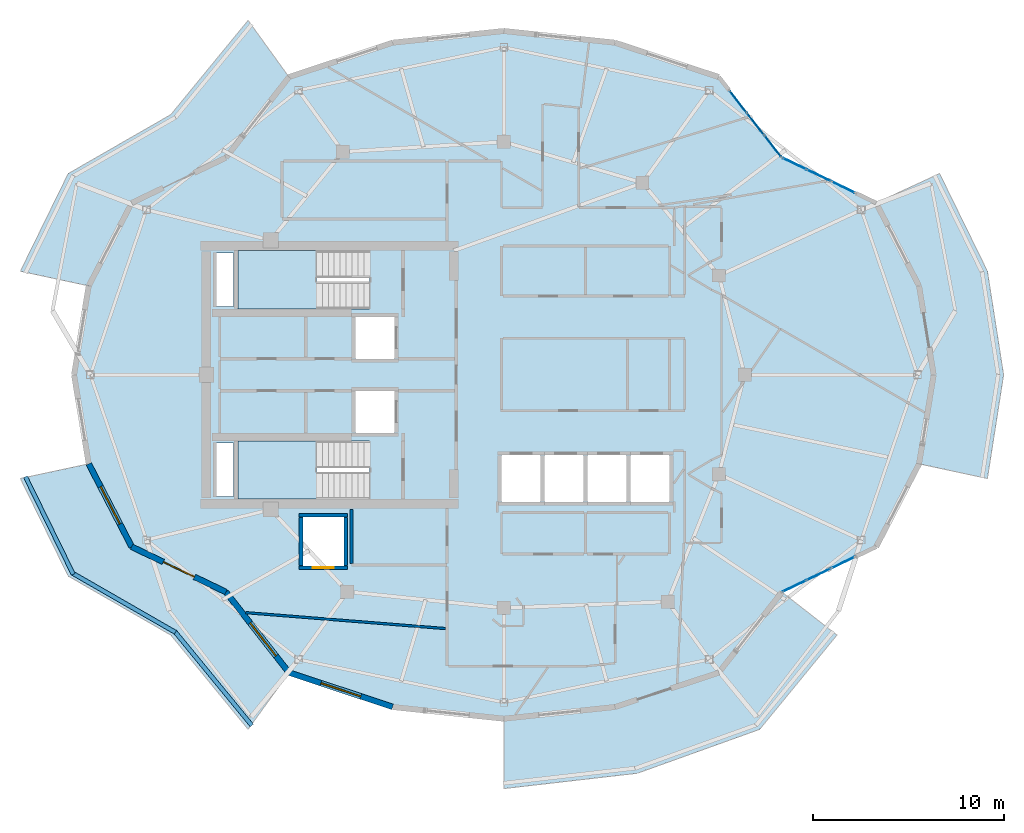
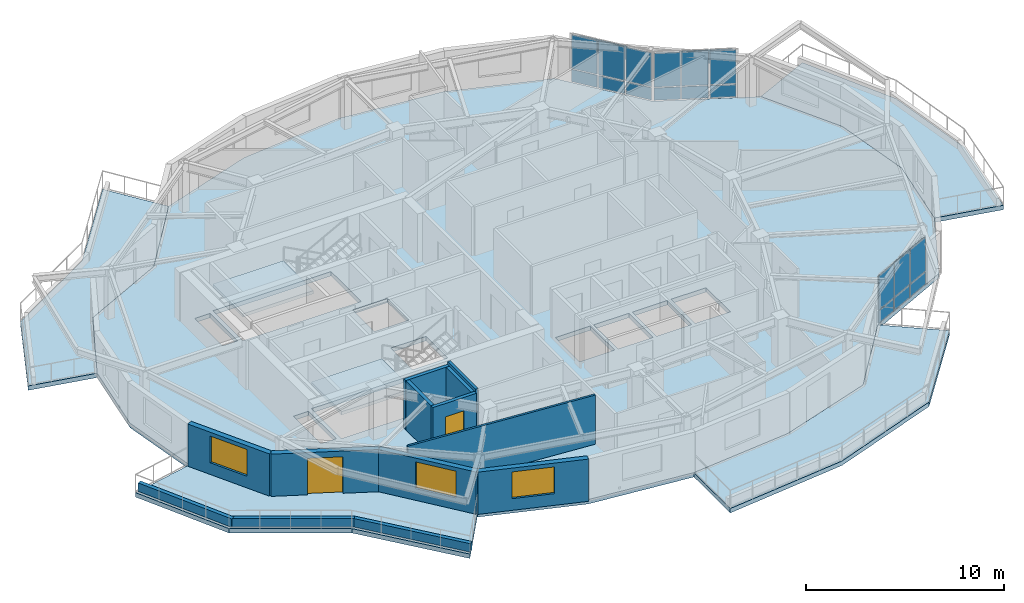
# One storey, part 6 of 14: 21 plates, 13 walls, 7 slabs, 3 windows, 2 doors, 5 openings, 5 elements without a shape of their own.
"""IFC4 building model written with IfcOpenShell, lengths in metres."""

from ifc_helpers import new_model, si_unit, direction, frame, frame_2d, origin, origin_2d, place, context, subcontext, project, spatial, polyline, rectangle, outline, extrude, material, layer, layer_set, type_object, element, fill, aggregate, save


model = new_model("IFC4")

# Units and contexts
model_context = context("Model", 3, precision=1e-05, world=origin(), true_north=direction((0.0, 1.0)))
body_context = subcontext(model_context, "Body", "Model", "MODEL_VIEW")
ifc_project = project(units=[si_unit("LENGTHUNIT", "METRE"), si_unit("AREAUNIT", "SQUARE_METRE"), si_unit("VOLUMEUNIT", "CUBIC_METRE"), si_unit("PLANEANGLEUNIT", "RADIAN"), si_unit("MASSUNIT", "GRAM", prefix="KILO")], contexts=[model_context])

# Site, building, storey
site_placement = place(None, origin())
site = spatial("IfcSite", under=ifc_project, at=site_placement, CompositionType="ELEMENT")
building_placement = place(site_placement, origin())
building = spatial("IfcBuilding", under=site, at=building_placement, Name="Kolvaren Gate Tower and Convention Centre", CompositionType="ELEMENT")
storey_placement = place(building_placement, frame((0.0, 0.0, 239.300048828125)))
storey = spatial("IfcBuildingStorey", under=building, at=storey_placement, Name="L64", CompositionType="ELEMENT", Elevation=239.300048828125)

# Plates
ifc_material_1 = material(Name="Perforated Anodized Bronze Aluminium Sheet 6 mm", Category="aluminium")
ifc_layer_1 = layer(ifc_material_1, 0.011962890625)
ifc_layer_set_1 = layer_set([ifc_layer_1], Name="Perforated Anodized Bronze Aluminium Sheet 6 mm")
plate_type_1 = type_object("IfcPlateType", Name="ARCH-PL-SCREEN-PERF", PredefinedType="SHEET", material=ifc_layer_set_1)
for number, where, z_axis, x_axis, name in (
    (1, (47.14404296875, 37.185302734375, 2.18994140625), (0.0, 0.0, 1.0), (0.901357634097, -0.433075530889, 0.0), "Tower L64 Perforated Bronze Solar Screen SS-02"),
    (2, (43.026123046875, 40.4794921875, 2.18994140625), (0.0, 0.0, 1.0), (0.616435493395, -0.787405411769, 0.0), "Tower L64 Perforated Bronze Solar Screen SS-03"),
    (3, (47.14404296875, 16.814697265625, 2.18994140625), (0.0, 0.0, 1.0), (0.901357634097, 0.433075530889, 0.0), "Tower L64 Perforated Bronze Solar Screen SS-21"),
):
    element("IfcPlate", number, at=place(storey_placement, frame(where, z_axis=z_axis, x_axis=x_axis)), inside=storey, type_object=plate_type_1, Name=name, PredefinedType="SHEET", context=body_context, shape_type="SweptSolid", body=[
        extrude(rectangle(XDim=2.60009765625, YDim=0.011962890625, at=origin_2d()), origin(), (0.0, 0.0, 1.0), 0.840087890625),
    ])

# Curtain wall, plates
ifc_material_2 = material(Name="Anodized Architectural Aluminium Alloy 6063-T6", Category="aluminium")
ifc_layer_2 = layer(ifc_material_2, 0.159912109375)
ifc_layer_set_2 = layer_set([ifc_layer_2], Name="Anodized Architectural Aluminium Alloy 6063-T6")
curtain_wall_type = type_object("IfcCurtainWallType", Name="CW-RES-UNIT", PredefinedType="NOTDEFINED", material=ifc_layer_set_2)
curtain_wall_1_placement = place(storey_placement, origin())
curtain_wall_1 = element("IfcCurtainWall", 4, at=curtain_wall_1_placement, inside=storey, type_object=curtain_wall_type, Name="Tower L64 Unitised Curtain Wall CW-RES-UNIT Bay 02", PredefinedType="NOTDEFINED")
ifc_material_3 = material(Name="Low-E Triple Insulated Glazing Unit 44 mm", Category="glass")
ifc_layer_3 = layer(ifc_material_3, 0.0439453125)
ifc_layer_set_3 = layer_set([ifc_layer_3], Name="Low-E Triple Insulated Glazing Unit 44 mm")
plate_type_2 = type_object("IfcPlateType", Name="CW-PL-IGU-44", PredefinedType="CURTAIN_PANEL", material=ifc_layer_set_3)
plate_1_placement = place(storey_placement, frame((45.336669921875, 38.053466796875, 0.88232421875), z_axis=(0.0, 0.0, 1.0), x_axis=(0.901352833934, -0.4330855213, 0.0)))
plate_1 = element("IfcPlate", 5, at=plate_1_placement, type_object=plate_type_2, Name="CW-04 panel 1.2", PredefinedType="CURTAIN_PANEL", context=body_context, shape_type="SweptSolid", body=[
    extrude(rectangle(XDim=1.333251953125, YDim=0.0439453125, at=origin_2d()), origin(), (0.0, 0.0, 1.0), 2.08251953125),
])
plate_2_placement = place(storey_placement, frame((46.611572265625, 37.44091796875, 0.88232421875), z_axis=(0.0, 0.0, 1.0), x_axis=(0.901352833934, -0.4330855213, 0.0)))
plate_2 = element("IfcPlate", 6, at=plate_2_placement, type_object=plate_type_2, Name="CW-04 panel 2.2", PredefinedType="CURTAIN_PANEL", context=body_context, shape_type="SweptSolid", body=[
    extrude(rectangle(XDim=1.36572265625, YDim=0.0439453125, at=origin_2d()), origin(), (0.0, 0.0, 1.0), 2.08251953125),
])
plate_3_placement = place(storey_placement, frame((47.886474609375, 36.828369140625, 0.88232421875), z_axis=(0.0, 0.0, 1.0), x_axis=(0.901352833934, -0.4330855213, 0.0)))
plate_3 = element("IfcPlate", 7, at=plate_3_placement, type_object=plate_type_2, Name="CW-04 panel 3.2", PredefinedType="CURTAIN_PANEL", context=body_context, shape_type="SweptSolid", body=[
    extrude(rectangle(XDim=1.333251953125, YDim=0.0439453125, at=origin_2d()), origin(), (0.0, 0.0, 1.0), 2.08251953125),
])

curtain_wall_2_placement = place(storey_placement, origin())
curtain_wall_2 = element("IfcCurtainWall", 8, at=curtain_wall_2_placement, inside=storey, type_object=curtain_wall_type, Name="Tower L64 Unitised Curtain Wall CW-RES-UNIT Bay 03", PredefinedType="NOTDEFINED")
plate_4_placement = place(storey_placement, frame((42.385498046875, 41.2978515625, 0.88232421875), z_axis=(0.0, 0.0, 1.0), x_axis=(0.616438827479, -0.787402801606, 0.0)))
plate_4 = element("IfcPlate", 9, at=plate_4_placement, type_object=plate_type_2, Name="CW-04 panel 1.2", PredefinedType="CURTAIN_PANEL", context=body_context, shape_type="SweptSolid", body=[
    extrude(rectangle(XDim=1.396240234375, YDim=0.0439453125, at=origin_2d()), origin(), (0.0, 0.0, 1.0), 2.08251953125),
])
plate_5_placement = place(storey_placement, frame((43.296142578125, 40.134521484375, 0.88232421875), z_axis=(0.0, 0.0, 1.0), x_axis=(0.616438827479, -0.787402801606, 0.0)))
plate_5 = element("IfcPlate", 10, at=plate_5_placement, type_object=plate_type_2, Name="CW-04 panel 2.2", PredefinedType="CURTAIN_PANEL", context=body_context, shape_type="SweptSolid", body=[
    extrude(rectangle(XDim=1.4287109375, YDim=0.0439453125, at=origin_2d()), origin(), (0.0, 0.0, 1.0), 2.08251953125),
])
plate_6_placement = place(storey_placement, frame((44.206787109375, 38.97119140625, 0.88232421875), z_axis=(0.0, 0.0, 1.0), x_axis=(0.616438827479, -0.787402801606, 0.0)))
plate_6 = element("IfcPlate", 11, at=plate_6_placement, type_object=plate_type_2, Name="CW-04 panel 3.2", PredefinedType="CURTAIN_PANEL", context=body_context, shape_type="SweptSolid", body=[
    extrude(rectangle(XDim=1.396240234375, YDim=0.0439453125, at=origin_2d()), origin(), (0.0, 0.0, 1.0), 2.08251953125),
])

curtain_wall_3_placement = place(storey_placement, origin())
curtain_wall_3 = element("IfcCurtainWall", 12, at=curtain_wall_3_placement, inside=storey, type_object=curtain_wall_type, Name="Tower L64 Unitised Curtain Wall CW-RES-UNIT Bay 21", PredefinedType="NOTDEFINED")
plate_7_placement = place(storey_placement, frame((45.336669921875, 15.946533203125, 0.88232421875), z_axis=(0.0, 0.0, 1.0), x_axis=(0.901352833934, 0.4330855213, 0.0)))
plate_7 = element("IfcPlate", 13, at=plate_7_placement, type_object=plate_type_2, Name="CW-04 panel 1.2", PredefinedType="CURTAIN_PANEL", context=body_context, shape_type="SweptSolid", body=[
    extrude(rectangle(XDim=1.333251953125, YDim=0.0439453125, at=origin_2d()), origin(), (0.0, 0.0, 1.0), 2.08251953125),
])
plate_8_placement = place(storey_placement, frame((46.611572265625, 16.55908203125, 0.88232421875), z_axis=(0.0, 0.0, 1.0), x_axis=(0.901352833934, 0.4330855213, 0.0)))
plate_8 = element("IfcPlate", 14, at=plate_8_placement, type_object=plate_type_2, Name="CW-04 panel 2.2", PredefinedType="CURTAIN_PANEL", context=body_context, shape_type="SweptSolid", body=[
    extrude(rectangle(XDim=1.36572265625, YDim=0.0439453125, at=origin_2d()), origin(), (0.0, 0.0, 1.0), 2.08251953125),
])
plate_9_placement = place(storey_placement, frame((47.886474609375, 17.171630859375, 0.88232421875), z_axis=(0.0, 0.0, 1.0), x_axis=(0.901352833934, 0.4330855213, 0.0)))
plate_9 = element("IfcPlate", 15, at=plate_9_placement, type_object=plate_type_2, Name="CW-04 panel 3.2", PredefinedType="CURTAIN_PANEL", context=body_context, shape_type="SweptSolid", body=[
    extrude(rectangle(XDim=1.333251953125, YDim=0.0439453125, at=origin_2d()), origin(), (0.0, 0.0, 1.0), 2.08251953125),
])

# Plate
ifc_material_4 = material(Name="Solar-Control Laminated Curtain Glazing 36 mm", Category="glass")
ifc_layer_4 = layer(ifc_material_4, 0.035888671875)
ifc_layer_set_4 = layer_set([ifc_layer_4], Name="Solar-Control Laminated Curtain Glazing 36 mm")
plate_type_3 = type_object("IfcPlateType", Name="CW-PL-SPAN-36", PredefinedType="CURTAIN_PANEL", material=ifc_layer_set_4)
plate_10_placement = place(storey_placement, frame((45.336669921875, 38.053466796875, 0.06494140625), z_axis=(0.0, 0.0, 1.0), x_axis=(0.901352833934, -0.4330855213, 0.0)))
plate_10 = element("IfcPlate", 16, at=plate_10_placement, type_object=plate_type_3, Name="CW-04 panel 1.1", PredefinedType="CURTAIN_PANEL", context=body_context, shape_type="SweptSolid", body=[
    extrude(rectangle(XDim=1.333251953125, YDim=0.035888671875, at=origin_2d()), origin(), (0.0, 0.0, 1.0), 0.75244140625),
])

plate_11_placement = place(storey_placement, frame((46.611572265625, 37.44091796875, 0.06494140625), z_axis=(0.0, 0.0, 1.0), x_axis=(0.901352833934, -0.4330855213, 0.0)))
plate_11 = element("IfcPlate", 17, at=plate_11_placement, type_object=plate_type_3, Name="CW-04 panel 2.1", PredefinedType="CURTAIN_PANEL", context=body_context, shape_type="SweptSolid", body=[
    extrude(rectangle(XDim=1.36572265625, YDim=0.035888671875, at=origin_2d()), origin(), (0.0, 0.0, 1.0), 0.75244140625),
])

plate_12_placement = place(storey_placement, frame((47.886474609375, 36.828369140625, 0.06494140625), z_axis=(0.0, 0.0, 1.0), x_axis=(0.901352833934, -0.4330855213, 0.0)))
plate_12 = element("IfcPlate", 18, at=plate_12_placement, type_object=plate_type_3, Name="CW-04 panel 3.1", PredefinedType="CURTAIN_PANEL", context=body_context, shape_type="SweptSolid", body=[
    extrude(rectangle(XDim=1.333251953125, YDim=0.035888671875, at=origin_2d()), origin(), (0.0, 0.0, 1.0), 0.75244140625),
])

aggregate(curtain_wall_1, [plate_10, plate_1, plate_11, plate_2, plate_12, plate_3])

plate_13_placement = place(storey_placement, frame((42.385498046875, 41.2978515625, 0.06494140625), z_axis=(0.0, 0.0, 1.0), x_axis=(0.616438827479, -0.787402801606, 0.0)))
plate_13 = element("IfcPlate", 19, at=plate_13_placement, type_object=plate_type_3, Name="CW-04 panel 1.1", PredefinedType="CURTAIN_PANEL", context=body_context, shape_type="SweptSolid", body=[
    extrude(rectangle(XDim=1.396240234375, YDim=0.035888671875, at=origin_2d()), origin(), (0.0, 0.0, 1.0), 0.75244140625),
])

plate_14_placement = place(storey_placement, frame((43.296142578125, 40.134521484375, 0.06494140625), z_axis=(0.0, 0.0, 1.0), x_axis=(0.616438827479, -0.787402801606, 0.0)))
plate_14 = element("IfcPlate", 20, at=plate_14_placement, type_object=plate_type_3, Name="CW-04 panel 2.1", PredefinedType="CURTAIN_PANEL", context=body_context, shape_type="SweptSolid", body=[
    extrude(rectangle(XDim=1.4287109375, YDim=0.035888671875, at=origin_2d()), origin(), (0.0, 0.0, 1.0), 0.75244140625),
])

plate_15_placement = place(storey_placement, frame((44.206787109375, 38.97119140625, 0.06494140625), z_axis=(0.0, 0.0, 1.0), x_axis=(0.616438827479, -0.787402801606, 0.0)))
plate_15 = element("IfcPlate", 21, at=plate_15_placement, type_object=plate_type_3, Name="CW-04 panel 3.1", PredefinedType="CURTAIN_PANEL", context=body_context, shape_type="SweptSolid", body=[
    extrude(rectangle(XDim=1.396240234375, YDim=0.035888671875, at=origin_2d()), origin(), (0.0, 0.0, 1.0), 0.75244140625),
])

aggregate(curtain_wall_2, [plate_13, plate_4, plate_14, plate_5, plate_15, plate_6])

plate_16_placement = place(storey_placement, frame((45.336669921875, 15.946533203125, 0.06494140625), z_axis=(0.0, 0.0, 1.0), x_axis=(0.901352833934, 0.4330855213, 0.0)))
plate_16 = element("IfcPlate", 22, at=plate_16_placement, type_object=plate_type_3, Name="CW-04 panel 1.1", PredefinedType="CURTAIN_PANEL", context=body_context, shape_type="SweptSolid", body=[
    extrude(rectangle(XDim=1.333251953125, YDim=0.035888671875, at=origin_2d()), origin(), (0.0, 0.0, 1.0), 0.75244140625),
])

plate_17_placement = place(storey_placement, frame((46.611572265625, 16.55908203125, 0.06494140625), z_axis=(0.0, 0.0, 1.0), x_axis=(0.901352833934, 0.4330855213, 0.0)))
plate_17 = element("IfcPlate", 23, at=plate_17_placement, type_object=plate_type_3, Name="CW-04 panel 2.1", PredefinedType="CURTAIN_PANEL", context=body_context, shape_type="SweptSolid", body=[
    extrude(rectangle(XDim=1.36572265625, YDim=0.035888671875, at=origin_2d()), origin(), (0.0, 0.0, 1.0), 0.75244140625),
])

plate_18_placement = place(storey_placement, frame((47.886474609375, 17.171630859375, 0.06494140625), z_axis=(0.0, 0.0, 1.0), x_axis=(0.901352833934, 0.4330855213, 0.0)))
plate_18 = element("IfcPlate", 24, at=plate_18_placement, type_object=plate_type_3, Name="CW-04 panel 3.1", PredefinedType="CURTAIN_PANEL", context=body_context, shape_type="SweptSolid", body=[
    extrude(rectangle(XDim=1.333251953125, YDim=0.035888671875, at=origin_2d()), origin(), (0.0, 0.0, 1.0), 0.75244140625),
])

aggregate(curtain_wall_3, [plate_16, plate_7, plate_17, plate_8, plate_18, plate_9])

# Slabs
ifc_material_5 = material(Name="Concrete C50/60", Category="concrete")
ifc_layer_5 = layer(ifc_material_5, 0.27001953125)
ifc_layer_set_5 = layer_set([ifc_layer_5], Name="Concrete C50/60")
slab_type_1 = type_object("IfcSlabType", Name="STR-SL-BALC-270", PredefinedType="FLOOR", material=ifc_layer_set_5)
slab_1_placement = place(storey_placement, frame((0.0, 0.0, -0.27001953125)))
element("IfcSlab", 25, at=slab_1_placement, inside=storey, type_object=slab_type_1, Name="Tower L64 Planted Balcony Terrace Slab 1 (West)", PredefinedType="FLOOR", context=body_context, shape_type="SweptSolid", body=[
    extrude(outline(polyline([(18.875, 42.58837890625), (15.57275390625, 38.370361328125), (10.639404296875, 36.0), (8.3916015625, 31.65869140625), (4.81298828125, 32.42578125), (7.316650390625, 37.53466796875), (12.688720703125, 40.623779296875), (16.733154296875, 45.556396484375), (18.875, 42.58837890625)])), origin(), (0.0, 0.0, 1.0), 0.27001953125),
])
slab_2_placement = place(storey_placement, frame((0.0, 0.0, -0.27001953125)))
element("IfcSlab", 26, at=slab_2_placement, inside=storey, type_object=slab_type_1, Name="Tower L64 Planted Balcony Terrace Slab 2 (West)", PredefinedType="FLOOR", context=body_context, shape_type="SweptSolid", body=[
    extrude(outline(polyline([(8.3916015625, 22.34130859375), (10.639404296875, 18.0), (15.57275390625, 15.629638671875), (18.875, 11.41162109375), (16.733154296875, 8.443603515625), (12.688720703125, 13.376220703125), (7.316650390625, 16.46533203125), (4.81298828125, 21.57421875), (8.3916015625, 22.34130859375)])), origin(), (0.0, 0.0, 1.0), 0.27001953125),
])
slab_3_placement = place(storey_placement, frame((0.0, 0.0, -0.27001953125)))
element("IfcSlab", 27, at=slab_3_placement, inside=storey, type_object=slab_type_1, Name="Tower L64 Planted Balcony Terrace Slab 3 (South)", PredefinedType="FLOOR", context=body_context, shape_type="SweptSolid", body=[
    extrude(outline(polyline([(30.125, 9.0), (35.948486328125, 9.61328125), (41.375, 11.41162109375), (44.67724609375, 15.629638671875), (47.561279296875, 13.376220703125), (43.516845703125, 8.443603515625), (37.11083984375, 6.142822265625), (30.125, 5.340087890625), (30.125, 9.0)])), origin(), (0.0, 0.0, 1.0), 0.27001953125),
])
slab_4_placement = place(storey_placement, frame((0.0, 0.0, -0.27001953125)))
element("IfcSlab", 28, at=slab_4_placement, inside=storey, type_object=slab_type_1, Name="Tower L64 Planted Balcony Terrace Slab 4 (East)", PredefinedType="FLOOR", context=body_context, shape_type="SweptSolid", body=[
    extrude(outline(polyline([(51.8583984375, 22.34130859375), (52.625, 27.0), (51.8583984375, 31.65869140625), (49.610595703125, 36.0), (52.933349609375, 37.53466796875), (55.43701171875, 32.42578125), (56.284912109375, 27.0), (55.43701171875, 21.57421875), (51.8583984375, 22.34130859375)])), origin(), (0.0, 0.0, 1.0), 0.27001953125),
])
ifc_material_6 = material(Name="Concrete C40/50", Category="concrete")
ifc_layer_6 = layer(ifc_material_6, 0.27001953125)
ifc_layer_set_6 = layer_set([ifc_layer_6], Name="Concrete C40/50")
slab_type_2 = type_object("IfcSlabType", Name="STR-SL-FLR-270", PredefinedType="FLOOR", material=ifc_layer_set_6)
slab_5_placement = place(storey_placement, frame((0.0, 0.0, -0.27001953125)))
element("IfcSlab", 29, at=slab_5_placement, inside=storey, type_object=slab_type_2, Name="Tower L64 Structural Floor Slab", PredefinedType="FLOOR", context=body_context, shape_type="SweptSolid", body=[
    extrude(outline(polyline([(52.625, 27.0), (51.8583984375, 31.65869140625), (49.610595703125, 36.0), (44.67724609375, 38.370361328125), (41.375, 42.58837890625), (35.948486328125, 44.38671875), (30.125, 45.0), (24.301513671875, 44.38671875), (18.875, 42.58837890625), (15.57275390625, 38.370361328125), (10.639404296875, 36.0), (8.3916015625, 31.65869140625), (7.625, 27.0), (8.3916015625, 22.34130859375), (10.639404296875, 18.0), (15.57275390625, 15.629638671875), (18.875, 11.41162109375), (24.301513671875, 9.61328125), (30.125, 9.0), (35.948486328125, 9.61328125), (41.375, 11.41162109375), (44.67724609375, 15.629638671875), (49.610595703125, 18.0), (51.8583984375, 22.34130859375), (52.625, 27.0)]), holes=[polyline([(36.75, 20.35009765625), (36.75, 22.800048828125), (38.800048828125, 22.800048828125), (38.800048828125, 20.35009765625), (36.75, 20.35009765625)]), polyline([(36.550048828125, 20.35009765625), (34.5, 20.35009765625), (34.5, 22.800048828125), (36.550048828125, 22.800048828125), (36.550048828125, 20.35009765625)]), polyline([(32.25, 20.35009765625), (32.25, 22.800048828125), (34.300048828125, 22.800048828125), (34.300048828125, 20.35009765625), (32.25, 20.35009765625)]), polyline([(30.0, 20.35009765625), (30.0, 22.800048828125), (32.050048828125, 22.800048828125), (32.050048828125, 20.35009765625), (30.0, 20.35009765625)]), polyline([(22.35009765625, 23.9599609375), (22.35009765625, 26.159912109375), (24.39990234375, 26.159912109375), (24.39990234375, 23.9599609375), (22.35009765625, 23.9599609375)]), polyline([(22.35009765625, 27.840087890625), (22.35009765625, 30.0400390625), (24.39990234375, 30.0400390625), (24.39990234375, 27.840087890625), (22.35009765625, 27.840087890625)]), polyline([(16.199951171875, 23.5400390625), (23.10009765625, 23.5400390625), (23.10009765625, 20.5), (16.199951171875, 20.5), (16.199951171875, 23.5400390625)]), polyline([(16.199951171875, 33.5), (23.10009765625, 33.5), (23.10009765625, 30.4599609375), (16.199951171875, 30.4599609375), (16.199951171875, 33.5)]), polyline([(21.75, 17.0), (19.60009765625, 17.0), (19.60009765625, 19.550048828125), (21.75, 19.550048828125), (21.75, 17.0)]), polyline([(15.080078125, 30.580078125), (15.080078125, 33.3701171875), (15.969970703125, 33.3701171875), (15.969970703125, 30.580078125), (15.080078125, 30.580078125)]), polyline([(15.969970703125, 20.6298828125), (15.080078125, 20.6298828125), (15.080078125, 23.419921875), (15.969970703125, 23.419921875), (15.969970703125, 20.6298828125)])]), origin(), (0.0, 0.0, 1.0), 0.27001953125),
])

# Stair, slab
stair_type = type_object("IfcStairType", Name="STR-STAIR-CORE", PredefinedType="HALF_TURN_STAIR", material=ifc_material_5)
stair_1_placement = place(storey_placement, origin())
stair_1 = element("IfcStair", 30, at=stair_1_placement, inside=storey, type_object=stair_type, Name="L64 Tower North Exit Stair ST-T1", PredefinedType="HALF_TURN_STAIR")
ifc_layer_7 = layer(ifc_material_5, 0.199951171875)
ifc_layer_set_7 = layer_set([ifc_layer_7], Name="Concrete C50/60")
slab_type_3 = type_object("IfcSlabType", Name="STR-SL-LAND-200", PredefinedType="LANDING", material=ifc_layer_set_7)
slab_6_placement = place(storey_placement, frame((0.0, 0.0, 1.449951171875)))
slab_6 = element("IfcSlab", 31, at=slab_6_placement, type_object=slab_type_3, Name="ST-T1 landing 1", PredefinedType="LANDING", context=body_context, shape_type="SweptSolid", body=[
    extrude(outline(polyline([(20.31005859375, 33.5), (16.199951171875, 33.5), (16.199951171875, 30.4599609375), (20.31005859375, 30.4599609375), (20.31005859375, 33.5)])), origin(), (0.0, 0.0, 1.0), 0.199951171875),
])
aggregate(stair_1, [slab_6])

stair_2_placement = place(storey_placement, origin())
stair_2 = element("IfcStair", 32, at=stair_2_placement, inside=storey, type_object=stair_type, Name="L64 Tower South Exit Stair ST-T2", PredefinedType="HALF_TURN_STAIR")
slab_7_placement = place(storey_placement, frame((0.0, 0.0, 1.449951171875)))
slab_7 = element("IfcSlab", 33, at=slab_7_placement, type_object=slab_type_3, Name="ST-T2 landing 1", PredefinedType="LANDING", context=body_context, shape_type="SweptSolid", body=[
    extrude(outline(polyline([(20.31005859375, 23.5400390625), (16.199951171875, 23.5400390625), (16.199951171875, 20.5), (20.31005859375, 20.5), (20.31005859375, 23.5400390625)])), origin(), (0.0, 0.0, 1.0), 0.199951171875),
])
aggregate(stair_2, [slab_7])

# Walls
ifc_material_7 = material(Name="Fire-Rated Acoustic Gypsum Stud Partition", Category="gypsum")
ifc_layer_8 = layer(ifc_material_7, 0.1201171875)
ifc_layer_set_8 = layer_set([ifc_layer_8], Name="Fire-Rated Acoustic Gypsum Stud Partition")
wall_type_1 = type_object("IfcWallType", Name="ARCH-WL-PART-120", PredefinedType="PARTITIONING", material=ifc_layer_set_8)
wall_1_placement = place(storey_placement, frame((16.610107421875, 14.55126953125, 0.0), z_axis=(0.0, 0.0, 1.0), x_axis=(0.996836469487, -0.079479891176, 0.0)))
element("IfcWall", 34, at=wall_1_placement, inside=storey, type_object=wall_type_1, Name="Interior Partition WL-L64-INT-066", PredefinedType="PARTITIONING", context=body_context, shape_type="SweptSolid", body=[
    extrude(rectangle(XDim=10.49609375, YDim=0.1201171875, at=frame_2d((5.248046875, 0.0))), origin(), (0.0, 0.0, 1.0), 3.030029296875),
])
ifc_material_8 = material(Name="Piedmont Cream Honed Limestone Cladding", Category="masonry")
ifc_layer_9 = layer(ifc_material_8, 0.219970703125)
ifc_layer_set_9 = layer_set([ifc_layer_9], Name="Piedmont Cream Honed Limestone Cladding")
wall_type_2 = type_object("IfcWallType", Name="ARCH-WL-PLANTER-220", PredefinedType="PARAPET", material=ifc_layer_set_9)
wall_2_placement = place(storey_placement, frame((5.078857421875, 21.662353515625, 0.0), z_axis=(0.0, 0.0, 1.0), x_axis=(0.440058847499, -0.897968936399, 0.0)))
element("IfcWall", 35, at=wall_2_placement, inside=storey, type_object=wall_type_2, Name="Vertical-Forest Balcony Stone Planter Kerb PK-L64-2.1", PredefinedType="PARAPET", context=body_context, shape_type="SweptSolid", body=[
    extrude(rectangle(XDim=5.689453125, YDim=0.219970703125, at=frame_2d((2.8447265625, 0.0))), origin(), (0.0, 0.0, 1.0), 0.52001953125),
])
wall_3_placement = place(storey_placement, frame((7.556884765625, 16.609375, 0.0), z_axis=(0.0, 0.0, 1.0), x_axis=(0.866901621005, -0.49847926687, 0.0)))
element("IfcWall", 36, at=wall_3_placement, inside=storey, type_object=wall_type_2, Name="Vertical-Forest Balcony Stone Planter Kerb PK-L64-2.2", PredefinedType="PARAPET", context=body_context, shape_type="SweptSolid", body=[
    extrude(rectangle(XDim=6.196533203125, YDim=0.219970703125, at=frame_2d((3.09814453125, 0.0))), origin(), (0.0, 0.0, 1.0), 0.52001953125),
])
wall_4_placement = place(storey_placement, frame((12.88232421875, 13.57861328125, 0.0), z_axis=(0.0, 0.0, 1.0), x_axis=(0.63407318032, -0.77327304492, 0.0)))
element("IfcWall", 37, at=wall_4_placement, inside=storey, type_object=wall_type_2, Name="Vertical-Forest Balcony Stone Planter Kerb PK-L64-2.3", PredefinedType="PARAPET", context=body_context, shape_type="SweptSolid", body=[
    extrude(rectangle(XDim=6.37890625, YDim=0.219970703125, at=frame_2d((3.189453125, 0.0))), origin(), (0.0, 0.0, 1.0), 0.52001953125),
])
ifc_material_9 = material(Name="Autoclaved Aerated Masonry Blockwork Class 4 (4.0 MPa)", Category="masonry")
ifc_layer_10 = layer(ifc_material_9, 0.199951171875)
ifc_layer_set_10 = layer_set([ifc_layer_10], Name="Autoclaved Aerated Masonry Blockwork Class 4 (4.0 MPa)")
wall_type_3 = type_object("IfcWallType", Name="ARCH-WL-SHAFT-200", PredefinedType="SOLIDWALL", material=ifc_layer_set_10)
wall_5_placement = place(storey_placement, frame((19.39990234375, 19.64990234375, 0.0), z_axis=(0.0, 0.0, 1.0), x_axis=(1.0, 0.0, 0.0)))
element("IfcWall", 38, at=wall_5_placement, inside=storey, type_object=wall_type_3, Name="Elevator SV-01 L64 Fire Shaft Wall N", PredefinedType="SOLIDWALL", context=body_context, shape_type="SweptSolid", body=[
    extrude(rectangle(XDim=2.550048828125, YDim=0.199951171875, at=frame_2d((1.27490234375, 0.0))), origin(), (0.0, 0.0, 1.0), 3.030029296875),
])

# Wall, opening, door
wall_6_placement = place(storey_placement, frame((19.39990234375, 16.89990234375, 0.0), z_axis=(0.0, 0.0, 1.0), x_axis=(1.0, 0.0, 0.0)))
wall_6 = element("IfcWall", 39, at=wall_6_placement, inside=storey, type_object=wall_type_3, Name="Elevator SV-01 L64 Fire Shaft Wall S", PredefinedType="SOLIDWALL", context=body_context, shape_type="SweptSolid", body=[
    extrude(rectangle(XDim=2.550048828125, YDim=0.199951171875, at=frame_2d((1.27490234375, 0.0))), origin(), (0.0, 0.0, 1.0), 3.030029296875),
])
opening_1_placement = place(wall_6_placement, frame((0.72509765625, 0.0, 0.0)))
opening_1 = element("IfcOpeningElement", 40, at=opening_1_placement, cuts=wall_6, Name="Opening LD", PredefinedType="OPENING", context=body_context, shape_type="SweptSolid", body=[
    extrude(rectangle(XDim=1.10009765625, YDim=2.199951171875, at=frame_2d((0.550048828125, 1.10009765625))), frame((0.0, 0.10986328125, 0.0), z_axis=(0.0, -1.0, 0.0), x_axis=(1.0, 0.0, 0.0)), (0.0, 0.0, 1.0), 0.219970703125),
])
ifc_material_10 = material(Name="Brushed Stainless Steel Grade 316L", Category="steel")
door_type_1 = type_object("IfcDoorType", Name="ARCH-DR-LIFT-1100", OperationType="SLIDING_TO_LEFT", PredefinedType="DOOR", material=ifc_material_10)
door_1_placement = place(opening_1_placement, origin())
door_1 = element("IfcDoor", 41, at=door_1_placement, inside=storey, type_object=door_type_1, Name="Elevator SV-01 L64 Sliding Landing Door", OperationType="SLIDING_TO_LEFT", OverallHeight=2.199951171875, OverallWidth=1.10009765625, PredefinedType="DOOR", context=body_context, shape_type="SweptSolid", body=[
    extrude(rectangle(XDim=1.10009765625, YDim=2.199951171875, at=frame_2d((0.550048828125, 1.10009765625))), frame((0.0, 0.02490234375, 0.0), z_axis=(0.0, -1.0, 0.0), x_axis=(1.0, 0.0, 0.0)), (0.0, 0.0, 1.0), 0.050048828125),
])
fill(opening_1, door_1)

# Walls
for number, where, z_axis, x_axis, name in (
    (42, (19.5, 17.010009765625, 0.0), (0.0, 0.0, 1.0), (0.0, 1.0, 0.0), "Elevator SV-01 L64 Fire Shaft Wall W"),
    (43, (21.85009765625, 17.010009765625, 0.0), (0.0, 0.0, 1.0), (0.0, 1.0, 0.0), "Elevator SV-01 L64 Fire Shaft Wall E"),
):
    element("IfcWall", number, at=place(storey_placement, frame(where, z_axis=z_axis, x_axis=x_axis)), inside=storey, type_object=wall_type_3, Name=name, PredefinedType="SOLIDWALL", context=body_context, shape_type="SweptSolid", body=[
        extrude(rectangle(XDim=2.530029296875, YDim=0.199951171875, at=frame_2d((1.26513671875, 0.0))), origin(), (0.0, 0.0, 1.0), 3.030029296875),
    ])

# Wall, opening, window
ifc_layer_11 = layer(ifc_material_8, 0.300048828125)
ifc_layer_set_11 = layer_set([ifc_layer_11], Name="Piedmont Cream Honed Limestone Cladding")
wall_type_4 = type_object("IfcWallType", Name="ARCH-WL-STONE-300", PredefinedType="SOLIDWALL", material=ifc_layer_set_11)
wall_7_placement = place(storey_placement, frame((8.3916015625, 22.34130859375, 0.0), z_axis=(0.0, 0.0, 1.0), x_axis=(0.459793771602, -0.888025724625, 0.0)))
wall_7 = element("IfcWall", 44, at=wall_7_placement, inside=storey, type_object=wall_type_4, Name="Tower L64 Honed Stone Spandrel Wall EW-13", PredefinedType="SOLIDWALL", context=body_context, shape_type="SweptSolid", body=[
    extrude(rectangle(XDim=4.888671875, YDim=0.300048828125, at=frame_2d((2.4443359375, 0.0))), origin(), (0.0, 0.0, 1.0), 2.60498046875),
])
opening_2_placement = place(wall_7_placement, frame((1.343994140625, 0.0, 0.719970703125)))
opening_2 = element("IfcOpeningElement", 45, at=opening_2_placement, cuts=wall_7, Name="Opening W-03", PredefinedType="OPENING", context=body_context, shape_type="SweptSolid", body=[
    extrude(rectangle(XDim=2.199951171875, YDim=1.64990234375, at=frame_2d((1.10009765625, 0.824951171875))), frame((0.0, 0.159912109375, 0.0), z_axis=(0.0, -1.0, 0.0), x_axis=(1.0, 0.0, 0.0)), (0.0, 0.0, 1.0), 0.320068359375),
])
window_type = type_object("IfcWindowType", Name="ARCH-WN-RES-2200", PartitioningType="SINGLE_PANEL", PredefinedType="WINDOW", material=ifc_material_3)
window_1_placement = place(opening_2_placement, origin())
window_1 = element("IfcWindow", 46, at=window_1_placement, inside=storey, type_object=window_type, Name="Tower L64 Punched Stone Facade Window W-13", OverallHeight=1.64990234375, OverallWidth=2.199951171875, PartitioningType="SINGLE_PANEL", PredefinedType="WINDOW", context=body_context, shape_type="SweptSolid", body=[
    extrude(rectangle(XDim=2.199951171875, YDim=1.64990234375, at=frame_2d((1.10009765625, 0.824951171875))), frame((0.0, 0.030029296875, 0.0), z_axis=(0.0, -1.0, 0.0), x_axis=(1.0, 0.0, 0.0)), (0.0, 0.0, 1.0), 0.06005859375),
])
fill(opening_2, window_1)

# Wall, opening, door
wall_8_placement = place(storey_placement, frame((10.639404296875, 18.0, 0.0), z_axis=(0.0, 0.0, 1.0), x_axis=(0.901355238351, -0.433080517106, 0.0)))
wall_8 = element("IfcWall", 47, at=wall_8_placement, inside=storey, type_object=wall_type_4, Name="Tower L64 Honed Stone Spandrel Wall EW-14", PredefinedType="SOLIDWALL", context=body_context, shape_type="SweptSolid", body=[
    extrude(rectangle(XDim=5.47314453125, YDim=0.300048828125, at=frame_2d((2.736572265625, 0.0))), origin(), (0.0, 0.0, 1.0), 2.60498046875),
])
opening_3_placement = place(wall_8_placement, frame((1.8369140625, 0.0, 0.0)))
opening_3 = element("IfcOpeningElement", 48, at=opening_3_placement, cuts=wall_8, Name="Opening DB-01", PredefinedType="OPENING", context=body_context, shape_type="SweptSolid", body=[
    extrude(rectangle(XDim=1.800048828125, YDim=2.25, at=frame_2d((0.89990234375, 1.125))), frame((0.0, 0.159912109375, 0.0), z_axis=(0.0, -1.0, 0.0), x_axis=(1.0, 0.0, 0.0)), (0.0, 0.0, 1.0), 0.320068359375),
])
door_type_2 = type_object("IfcDoorType", Name="ARCH-DR-BALC-1800", OperationType="SLIDING_TO_LEFT", PredefinedType="DOOR", material=ifc_material_2)
door_2_placement = place(opening_3_placement, frame((1.800048828125, 0.0, 0.0), z_axis=(0.0, 0.0, 1.0), x_axis=(-1.0, 0.0, 0.0)))
door_2 = element("IfcDoor", 49, at=door_2_placement, inside=storey, type_object=door_type_2, Name="Planted Sky Terrace Access Door DB-L64-14", OperationType="SLIDING_TO_LEFT", OverallHeight=2.25, OverallWidth=1.800048828125, PredefinedType="DOOR", context=body_context, shape_type="SweptSolid", body=[
    extrude(rectangle(XDim=1.800048828125, YDim=2.25, at=frame_2d((0.89990234375, 1.125))), frame((0.0, 0.02490234375, 0.0), z_axis=(0.0, -1.0, 0.0), x_axis=(1.0, 0.0, 0.0)), (0.0, 0.0, 1.0), 0.050048828125),
])
fill(opening_3, door_2)

# Wall, opening, window
wall_9_placement = place(storey_placement, frame((15.57275390625, 15.629638671875, 0.0), z_axis=(0.0, 0.0, 1.0), x_axis=(0.61644588519, -0.787397276241, 0.0)))
wall_9 = element("IfcWall", 50, at=wall_9_placement, inside=storey, type_object=wall_type_4, Name="Tower L64 Honed Stone Spandrel Wall EW-15", PredefinedType="SOLIDWALL", context=body_context, shape_type="SweptSolid", body=[
    extrude(rectangle(XDim=5.35693359375, YDim=0.300048828125, at=frame_2d((2.678466796875, 0.0))), origin(), (0.0, 0.0, 1.0), 2.60498046875),
])
opening_4_placement = place(wall_9_placement, frame((2.050048828125, 0.0, 0.719970703125)))
opening_4 = element("IfcOpeningElement", 51, at=opening_4_placement, cuts=wall_9, Name="Opening W-03", PredefinedType="OPENING", context=body_context, shape_type="SweptSolid", body=[
    extrude(rectangle(XDim=2.199951171875, YDim=1.64990234375, at=frame_2d((1.10009765625, 0.824951171875))), frame((0.0, 0.159912109375, 0.0), z_axis=(0.0, -1.0, 0.0), x_axis=(1.0, 0.0, 0.0)), (0.0, 0.0, 1.0), 0.320068359375),
])
window_2_placement = place(opening_4_placement, origin())
window_2 = element("IfcWindow", 52, at=window_2_placement, inside=storey, type_object=window_type, Name="Tower L64 Punched Stone Facade Window W-15", OverallHeight=1.64990234375, OverallWidth=2.199951171875, PartitioningType="SINGLE_PANEL", PredefinedType="WINDOW", context=body_context, shape_type="SweptSolid", body=[
    extrude(rectangle(XDim=2.199951171875, YDim=1.64990234375, at=frame_2d((1.10009765625, 0.824951171875))), frame((0.0, 0.030029296875, 0.0), z_axis=(0.0, -1.0, 0.0), x_axis=(1.0, 0.0, 0.0)), (0.0, 0.0, 1.0), 0.06005859375),
])
fill(opening_4, window_2)

wall_10_placement = place(storey_placement, frame((18.875, 11.41162109375, 0.0), z_axis=(0.0, 0.0, 1.0), x_axis=(0.949232769585, -0.314574552605, 0.0)))
wall_10 = element("IfcWall", 53, at=wall_10_placement, inside=storey, type_object=wall_type_4, Name="Tower L64 Honed Stone Spandrel Wall EW-16", PredefinedType="SOLIDWALL", context=body_context, shape_type="SweptSolid", body=[
    extrude(rectangle(XDim=5.716796875, YDim=0.300048828125, at=frame_2d((2.8583984375, 0.0))), origin(), (0.0, 0.0, 1.0), 2.60498046875),
])
opening_5_placement = place(wall_10_placement, frame((1.758056640625, 0.0, 0.719970703125)))
opening_5 = element("IfcOpeningElement", 54, at=opening_5_placement, cuts=wall_10, Name="Opening W-03", PredefinedType="OPENING", context=body_context, shape_type="SweptSolid", body=[
    extrude(rectangle(XDim=2.199951171875, YDim=1.64990234375, at=frame_2d((1.10009765625, 0.824951171875))), frame((0.0, 0.159912109375, 0.0), z_axis=(0.0, -1.0, 0.0), x_axis=(1.0, 0.0, 0.0)), (0.0, 0.0, 1.0), 0.320068359375),
])
window_3_placement = place(opening_5_placement, origin())
window_3 = element("IfcWindow", 55, at=window_3_placement, inside=storey, type_object=window_type, Name="Tower L64 Punched Stone Facade Window W-16", OverallHeight=1.64990234375, OverallWidth=2.199951171875, PartitioningType="SINGLE_PANEL", PredefinedType="WINDOW", context=body_context, shape_type="SweptSolid", body=[
    extrude(rectangle(XDim=2.199951171875, YDim=1.64990234375, at=frame_2d((1.10009765625, 0.824951171875))), frame((0.0, 0.030029296875, 0.0), z_axis=(0.0, -1.0, 0.0), x_axis=(1.0, 0.0, 0.0)), (0.0, 0.0, 1.0), 0.06005859375),
])
fill(opening_5, window_3)

# Wall
ifc_material_11 = material(Name="Moisture-Resistant Cement-Board Acoustic Partition", Category="gypsum")
ifc_layer_12 = layer(ifc_material_11, 0.14990234375)
ifc_layer_set_12 = layer_set([ifc_layer_12], Name="Moisture-Resistant Cement-Board Acoustic Partition")
wall_type_5 = type_object("IfcWallType", Name="ARCH-WL-WET-150", PredefinedType="PARTITIONING", material=ifc_layer_set_12)
wall_11_placement = place(storey_placement, frame((22.14990234375, 17.126953125, 0.0), z_axis=(0.0, 0.0, 1.0), x_axis=(0.0, 1.0, 0.0)))
element("IfcWall", 56, at=wall_11_placement, inside=storey, type_object=wall_type_5, Name="Interior Partition WL-L64-INT-010", PredefinedType="PARTITIONING", context=body_context, shape_type="SweptSolid", body=[
    extrude(rectangle(XDim=2.822998046875, YDim=0.14990234375, at=frame_2d((1.41162109375, 0.0))), origin(), (0.0, 0.0, 1.0), 3.030029296875),
])

save(model, "model.ifc")
